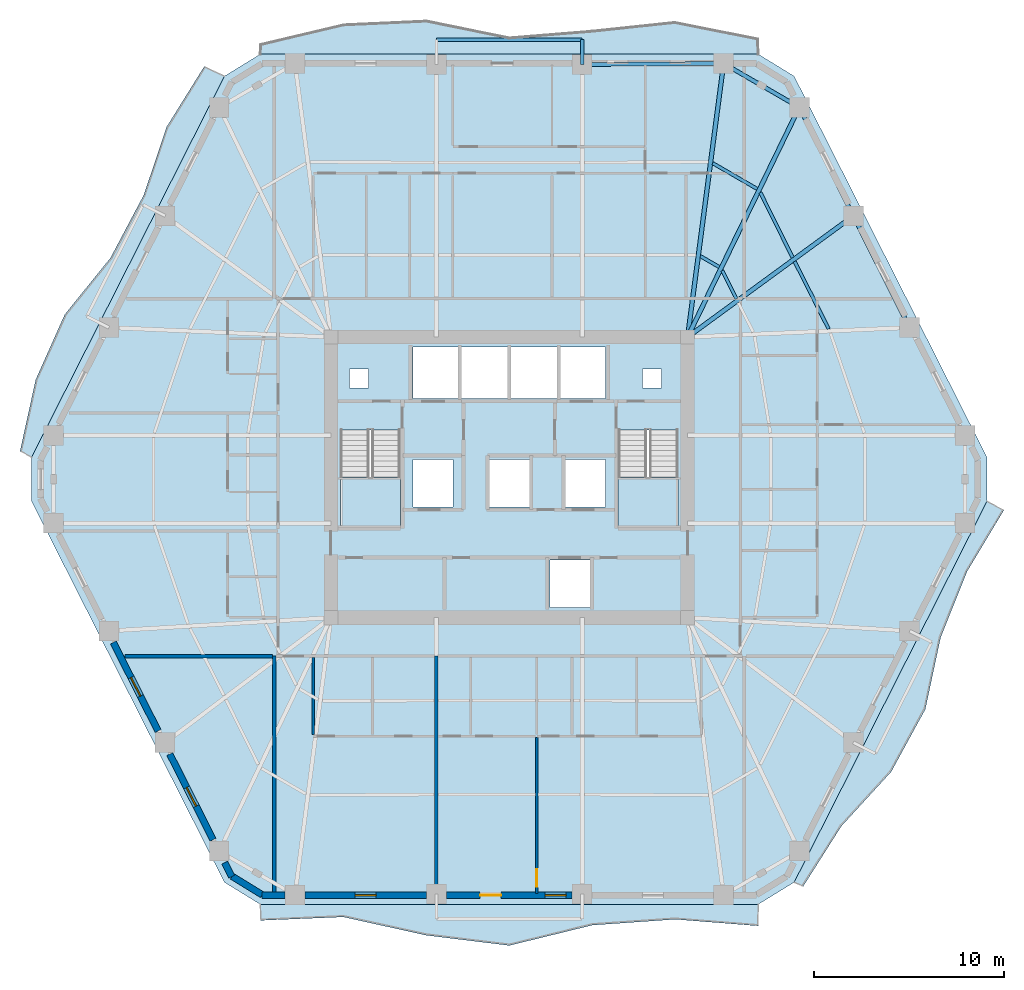
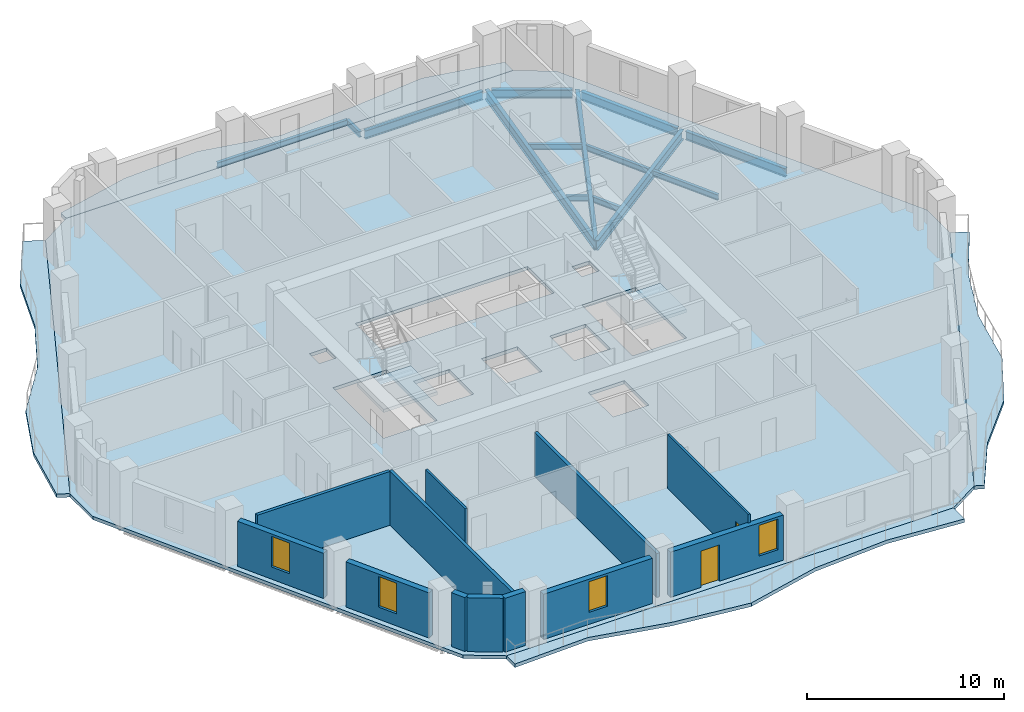
# One storey, part 3 of 10: 14 beams, 12 walls, 7 slabs, 4 windows, 2 doors, 6 openings, 2 elements without a shape of their own.
"""IFC4 building model written with IfcOpenShell, lengths in metres."""

import ifcopenshell
import ifcopenshell.guid

model = None  # the IFC model being written
_history = None  # IfcOwnerHistory: only IFC2X3 demands one
_inside = {}  # id of a spatial element -> (the spatial element, [elements in it])
_under = {}  # id of a project, library or spatial element -> (it, [spatial elements below it])
_declared = {}  # id of a project -> (the project, [libraries it declares])
_typed = {}  # id of a type object -> (the type object, [elements of that type])
_made_of = {}  # id of a material, layer set ... -> (it, [elements and type objects made of it])


def new_model(schema):
    """Start an empty IFC model of exactly this schema.

    Asked for "IFC4X3", IfcOpenShell would pick the latest addendum, in which some entities
    have other attributes; the version numbers below select the first issue.
    IFC2X3 requires an IfcOwnerHistory on every rooted entity: one is made here for all.
    """
    global model, _history
    if schema == "IFC4X3":
        model = ifcopenshell.file(schema_version=(4, 3, 0, 0))
    else:
        model = ifcopenshell.file(schema=schema)
    _inside.clear()
    _under.clear()
    _declared.clear()
    _typed.clear()
    _made_of.clear()
    _history = None
    if model.schema == "IFC2X3":
        org = make("IfcOrganization", Name="unknown")
        user = make(
            "IfcPersonAndOrganization",
            ThePerson=make("IfcPerson", FamilyName="unknown"),
            TheOrganization=org,
        )
        app = make(
            "IfcApplication",
            ApplicationDeveloper=org,
            Version="unknown",
            ApplicationFullName="unknown",
            ApplicationIdentifier="unknown",
        )
        _history = make(
            "IfcOwnerHistory",
            OwningUser=user,
            OwningApplication=app,
            ChangeAction="ADDED",
            CreationDate=0,
        )
    return model


def make(cls, **values):
    """One entity of the class cls with the attributes given. An attribute that is None is left unset."""
    return model.create_entity(
        cls, **{name: value for name, value in values.items() if value is not None}
    )


def rooted(cls, **values):
    """An entity with a GlobalId (a new one), such as an element, a storey or a relation."""
    return make(cls, GlobalId=ifcopenshell.guid.new(), OwnerHistory=_history, **values)


def si_unit(unit_type, name, prefix=None):
    """IfcSIUnit, for example si_unit("LENGTHUNIT", "METRE", prefix="MILLI")."""
    return make("IfcSIUnit", UnitType=unit_type, Prefix=prefix, Name=name)


def assignment(units):
    """IfcUnitAssignment: the units of a project."""
    return None if units is None else make("IfcUnitAssignment", Units=units)


def point(xyz):
    """IfcCartesianPoint."""
    return None if xyz is None else make("IfcCartesianPoint", Coordinates=xyz)


def direction(xyz):
    """IfcDirection."""
    return None if xyz is None else make("IfcDirection", DirectionRatios=xyz)


def frame(location, z_axis=None, x_axis=None):
    """IfcAxis2Placement3D, a coordinate frame: its origin and axes. An axis left out is left unset."""
    return make(
        "IfcAxis2Placement3D",
        Location=point(location),
        Axis=direction(z_axis),
        RefDirection=direction(x_axis),
    )


def frame_2d(location, x_axis=None):
    """IfcAxis2Placement2D, a coordinate frame in the plane: its origin and x axis."""
    return make(
        "IfcAxis2Placement2D", Location=point(location), RefDirection=direction(x_axis)
    )


def origin():
    """The frame at (0, 0, 0) with its axes left unset."""
    return frame((0.0, 0.0, 0.0))


def origin_2d():
    """The frame at (0, 0) in the plane with its x axis left unset."""
    return frame_2d((0.0, 0.0))


def place(relative_to, where):
    """IfcLocalPlacement: puts the frame where relative to a parent placement (None: the world)."""
    return make(
        "IfcLocalPlacement", PlacementRelTo=relative_to, RelativePlacement=where
    )


def context(
    kind, dimensions, precision=None, world=None, true_north=None, identifier=None
):
    """IfcGeometricRepresentationContext, for example the 3D "Model" context."""
    return make(
        "IfcGeometricRepresentationContext",
        ContextIdentifier=identifier,
        ContextType=kind,
        CoordinateSpaceDimension=dimensions,
        Precision=precision,
        WorldCoordinateSystem=world,
        TrueNorth=true_north,
    )


def subcontext(parent, identifier, kind, view, scale=None):
    """IfcGeometricRepresentationSubContext, for example "Body" below "Model"."""
    return make(
        "IfcGeometricRepresentationSubContext",
        ContextIdentifier=identifier,
        ContextType=kind,
        ParentContext=parent,
        TargetScale=scale,
        TargetView=view,
    )


def project(units=None, contexts=None):
    """IfcProject with its units and contexts."""
    return rooted(
        "IfcProject",
        Name="project",
        RepresentationContexts=contexts,
        UnitsInContext=assignment(units),
    )


def spatial(cls, under=None, at=None, **own):
    """A site, building, storey or space (cls), placed at a placement, below another one or the project."""
    s = rooted(cls, ObjectPlacement=at, **own)
    if under is not None:
        _under.setdefault(under.id(), (under, []))[1].append(s)
    return s


def polyline(points):
    """IfcPolyline through the points."""
    return make("IfcPolyline", Points=[point(p) for p in points])


def profile(cls, at=None, kind="AREA", **sizes):
    """A parametric profile (cls). Its sizes go by their IFC names, for example OverallWidth=200.0."""
    return make(cls, ProfileType=kind, Position=at, **sizes)


def rectangle(**sizes):
    """IfcRectangleProfileDef."""
    return profile("IfcRectangleProfileDef", **sizes)


def i_section(**sizes):
    """IfcIShapeProfileDef."""
    return profile("IfcIShapeProfileDef", **sizes)


def outline(outer, holes=None, kind="AREA"):
    """IfcArbitraryClosedProfileDef: a profile drawn as a closed curve; with holes, ...WithVoids."""
    if holes is None:
        return make("IfcArbitraryClosedProfileDef", ProfileType=kind, OuterCurve=outer)
    return make(
        "IfcArbitraryProfileDefWithVoids",
        ProfileType=kind,
        OuterCurve=outer,
        InnerCurves=holes,
    )


def extrude(swept, where, along, depth):
    """IfcExtrudedAreaSolid: the profile swept, set in the frame where, extruded along a direction by depth."""
    return make(
        "IfcExtrudedAreaSolid",
        SweptArea=swept,
        Position=where,
        ExtrudedDirection=direction(along),
        Depth=depth,
    )


def shape(context_of_items, identifier, shape_type, items):
    """IfcShapeRepresentation: the items that make up one representation, for example the "Body"."""
    return make(
        "IfcShapeRepresentation",
        ContextOfItems=context_of_items,
        RepresentationIdentifier=identifier,
        RepresentationType=shape_type,
        Items=items,
    )


def material(Name=None, Category=None):
    """IfcMaterial."""
    return make("IfcMaterial", Name=Name, Category=Category)


def layer(
    of_material, thickness, ventilated=None, Name=None, Category=None, Priority=None
):
    """IfcMaterialLayer: one layer of a wall or slab, of a material (None: an air gap)."""
    return make(
        "IfcMaterialLayer",
        Material=of_material,
        LayerThickness=thickness,
        IsVentilated=ventilated,
        Name=Name,
        Category=Category,
        Priority=Priority,
    )


def layer_set(layers, Name=None):
    """IfcMaterialLayerSet."""
    return make("IfcMaterialLayerSet", MaterialLayers=layers, LayerSetName=Name)


def material_profile(
    of_material, cross_section, Name=None, Category=None, Priority=None
):
    """IfcMaterialProfile: a cross section and its material."""
    return make(
        "IfcMaterialProfile",
        Name=Name,
        Material=of_material,
        Profile=cross_section,
        Priority=Priority,
        Category=Category,
    )


def profile_set(profiles, Name=None, composite=None):
    """IfcMaterialProfileSet."""
    return make(
        "IfcMaterialProfileSet",
        Name=Name,
        MaterialProfiles=profiles,
        CompositeProfile=composite,
    )


def made_of(thing, what):
    """Note that an element or type object is made of a material, layer set ...; save() writes the relation."""
    if what is not None:
        _made_of.setdefault(what.id(), (what, []))[1].append(thing)
    return thing


def type_object(cls, material=None, **own):
    """A type object (cls), such as IfcWallType, which elements share."""
    return made_of(rooted(cls, **own), material)


def element(
    cls,
    number,
    at=None,
    inside=None,
    cuts=None,
    type_object=None,
    material=None,
    context=None,
    identifier="Body",
    shape_type=None,
    held_by="IfcProductDefinitionShape",
    body=None,
    shapes=None,
    **own,
):
    """One element of the class cls, such as IfcWall. Its Tag is "e" and its number.

    at: its placement. inside: the storey or other place that contains it. cuts: it is an
    opening in that element (IfcRelVoidsElement). A single representation is given by context,
    identifier, shape_type and body (its items); several are given by shapes. held_by: the class
    of the entity that holds the representations. save() writes the other relations.
    """
    e = rooted(cls, Tag="e%d" % number, ObjectPlacement=at, **own)
    if body is not None:
        shapes = [shape(context, identifier, shape_type, body)]
    if shapes is not None:
        e.Representation = make(held_by, Representations=shapes)
    if inside is not None:
        _inside.setdefault(inside.id(), (inside, []))[1].append(e)
    if cuts is not None:
        rooted(
            "IfcRelVoidsElement", RelatingBuildingElement=cuts, RelatedOpeningElement=e
        )
    if type_object is not None:
        _typed.setdefault(type_object.id(), (type_object, []))[1].append(e)
    return made_of(e, material)


def fill(opening, filler):
    """IfcRelFillsElement: the door or window that sits in an opening."""
    return rooted(
        "IfcRelFillsElement",
        RelatingOpeningElement=opening,
        RelatedBuildingElement=filler,
    )


def aggregate(whole, parts):
    """IfcRelAggregates: a whole, such as a stair, and the parts it consists of."""
    return rooted("IfcRelAggregates", RelatingObject=whole, RelatedObjects=parts)


def save(model, path):
    """Write the relations noted so far, then the file.

    IfcRelAggregates (storeys below a building ...), IfcRelContainedInSpatialStructure (elements
    in a storey), IfcRelDefinesByType, IfcRelAssociatesMaterial and IfcRelDeclares: one each for
    every whole, place, type object, material and project.
    """
    for whole, parts in _under.values():
        aggregate(whole, parts)
    for where, things in _inside.values():
        rooted(
            "IfcRelContainedInSpatialStructure",
            RelatedElements=things,
            RelatingStructure=where,
        )
    for kind, things in _typed.values():
        rooted("IfcRelDefinesByType", RelatedObjects=things, RelatingType=kind)
    for what, things in _made_of.values():
        rooted("IfcRelAssociatesMaterial", RelatedObjects=things, RelatingMaterial=what)
    for by, libraries in _declared.values():
        rooted("IfcRelDeclares", RelatingContext=by, RelatedDefinitions=libraries)
    model.write(path)


model = new_model("IFC4")

# Units and contexts
model_context = context("Model", 3, precision=1e-05, world=origin(), true_north=direction((0.0, 1.0)))
body_context = subcontext(model_context, "Body", "Model", "MODEL_VIEW")
ifc_project = project(units=[si_unit("LENGTHUNIT", "METRE"), si_unit("AREAUNIT", "SQUARE_METRE"), si_unit("VOLUMEUNIT", "CUBIC_METRE"), si_unit("PLANEANGLEUNIT", "RADIAN"), si_unit("MASSUNIT", "GRAM", prefix="KILO")], contexts=[model_context])

# Site, building, storey
site_placement = place(None, origin())
site = spatial("IfcSite", under=ifc_project, at=site_placement, CompositionType="ELEMENT")
building_placement = place(site_placement, origin())
building = spatial("IfcBuilding", under=site, at=building_placement, Name="Cinnabar Lancet Tower", CompositionType="ELEMENT")
storey_placement = place(building_placement, frame((0.0, 0.0, 116.14990234375)))
storey = spatial("IfcBuildingStorey", under=building, at=storey_placement, Name="L30", CompositionType="ELEMENT", Elevation=116.14990234375)

# Beams
ifc_material_1 = material(Name="Structural steel S355", Category="steel")
ifc_material_profile_1 = material_profile(ifc_material_1, i_section(OverallWidth=0.17138671875, OverallDepth=0.35498046875, WebThickness=0.00732421875, FlangeThickness=0.011474609375, FilletRadius=0.01025390625, at=origin_2d()), Name="UKB 356x171x51")
ifc_profile_set_1 = profile_set([ifc_material_profile_1], Name="Structural steel S355")
beam_type_1 = type_object("IfcBeamType", Name="STR-BM-JST-356", PredefinedType="JOIST", material=ifc_profile_set_1)
beam_1_placement = place(storey_placement, frame((49.19189453125, 33.70703125, -0.386962890625), z_axis=(-0.450606998706, 0.892722427587, 0.0), x_axis=(-0.892722427587, -0.450606998706, 0.0)))
element("IfcBeam", 1, at=beam_1_placement, inside=storey, type_object=beam_type_1, Name="L30 Secondary Floor Joist 27", PredefinedType="JOIST", context=body_context, shape_type="SweptSolid", body=[
    extrude(i_section(OverallWidth=0.17138671875, OverallDepth=0.35498046875, WebThickness=0.00732421875, FlangeThickness=0.011474609375, FilletRadius=0.01025390625, at=origin_2d()), origin(), (0.0, 0.0, 1.0), 3.967529296875),
])
beam_2_placement = place(storey_placement, frame((47.300048828125, 37.455078125, -0.386962890625), z_axis=(-0.445116798807, 0.895472520751, 0.0), x_axis=(-0.895472520751, -0.445116798807, 0.0)))
element("IfcBeam", 2, at=beam_2_placement, inside=storey, type_object=beam_type_1, Name="L30 Secondary Floor Joist 29", PredefinedType="JOIST", context=body_context, shape_type="SweptSolid", body=[
    extrude(i_section(OverallWidth=0.17138671875, OverallDepth=0.35498046875, WebThickness=0.00732421875, FlangeThickness=0.011474609375, FilletRadius=0.01025390625, at=origin_2d()), origin(), (0.0, 0.0, 1.0), 3.8212890625),
])
beam_3_placement = place(storey_placement, frame((44.337890625, 35.2900390625, -0.386962890625), z_axis=(-0.445677136949, 0.895193772097, 0.0), x_axis=(-0.895193772097, -0.445677136949, 0.0)))
element("IfcBeam", 3, at=beam_3_placement, inside=storey, type_object=beam_type_1, Name="L30 Secondary Floor Joist 30", PredefinedType="JOIST", context=body_context, shape_type="SweptSolid", body=[
    extrude(i_section(OverallWidth=0.17138671875, OverallDepth=0.35498046875, WebThickness=0.00732421875, FlangeThickness=0.011474609375, FilletRadius=0.01025390625, at=origin_2d()), origin(), (0.0, 0.0, 1.0), 1.6533203125),
])
beam_4_placement = place(storey_placement, frame((45.43505859375, 41.06298828125, -0.386962890625), z_axis=(-0.865172906898, 0.501473669469, 0.0), x_axis=(-0.501473669469, -0.865172906898, 0.0)))
element("IfcBeam", 4, at=beam_4_placement, inside=storey, type_object=beam_type_1, Name="L30 Secondary Floor Joist 31", PredefinedType="JOIST", context=body_context, shape_type="SweptSolid", body=[
    extrude(i_section(OverallWidth=0.17138671875, OverallDepth=0.35498046875, WebThickness=0.00732421875, FlangeThickness=0.011474609375, FilletRadius=0.01025390625, at=origin_2d()), origin(), (0.0, 0.0, 1.0), 2.705810546875),
])
beam_5_placement = place(storey_placement, frame((43.43798828125, 36.9560546875, -0.386962890625), z_axis=(-0.865055308165, 0.501676503154, 0.0), x_axis=(-0.501676503154, -0.865055308165, 0.0)))
element("IfcBeam", 5, at=beam_5_placement, inside=storey, type_object=beam_type_1, Name="L30 Secondary Floor Joist 32", PredefinedType="JOIST", context=body_context, shape_type="SweptSolid", body=[
    extrude(i_section(OverallWidth=0.17138671875, OverallDepth=0.35498046875, WebThickness=0.00732421875, FlangeThickness=0.011474609375, FilletRadius=0.01025390625, at=origin_2d()), origin(), (0.0, 0.0, 1.0), 1.14208984375),
])
ifc_material_2 = material(Name="Structural steel S355", Category="steel")
ifc_material_profile_2 = material_profile(ifc_material_2, i_section(OverallWidth=0.209228515625, OverallDepth=0.533203125, WebThickness=0.010009765625, FlangeThickness=0.015625, FilletRadius=0.0126953125, at=origin_2d()), Name="UKB 533x210x92")
ifc_profile_set_2 = profile_set([ifc_material_profile_2], Name="Structural steel S355")
beam_type_2 = type_object("IfcBeamType", Name="STR-BM-SPN-533", PredefinedType="SPANDREL", material=ifc_profile_set_2)
beam_6_placement = place(storey_placement, frame((53.339111328125, 33.9990234375, -0.476806640625), z_axis=(-0.450570325924, 0.892740937449, 0.0), x_axis=(-0.892740937449, -0.450570325924, 0.0)))
element("IfcBeam", 6, at=beam_6_placement, inside=storey, type_object=beam_type_2, Name="L30 Perimeter Spandrel 10", PredefinedType="SPANDREL", context=body_context, shape_type="SweptSolid", body=[
    extrude(i_section(OverallWidth=0.209228515625, OverallDepth=0.533203125, WebThickness=0.010009765625, FlangeThickness=0.015625, FilletRadius=0.0126953125, at=origin_2d()), origin(), (0.0, 0.0, 1.0), 6.07470703125),
])
beam_7_placement = place(storey_placement, frame((50.3779296875, 39.868896484375, -0.476806640625), z_axis=(-0.445501068635, 0.89528140707, 0.0), x_axis=(-0.89528140707, -0.445501068635, 0.0)))
element("IfcBeam", 7, at=beam_7_placement, inside=storey, type_object=beam_type_2, Name="L30 Perimeter Spandrel 11", PredefinedType="SPANDREL", context=body_context, shape_type="SweptSolid", body=[
    extrude(i_section(OverallWidth=0.209228515625, OverallDepth=0.533203125, WebThickness=0.010009765625, FlangeThickness=0.015625, FilletRadius=0.0126953125, at=origin_2d()), origin(), (0.0, 0.0, 1.0), 5.87646484375),
])
beam_8_placement = place(storey_placement, frame((47.43310546875, 45.47900390625, -0.476806640625), z_axis=(-0.865138129765, 0.5015336643, 0.0), x_axis=(-0.5015336643, -0.865138129765, 0.0)))
element("IfcBeam", 8, at=beam_8_placement, inside=storey, type_object=beam_type_2, Name="L30 Perimeter Spandrel 12", PredefinedType="SPANDREL", context=body_context, shape_type="SweptSolid", body=[
    extrude(i_section(OverallWidth=0.209228515625, OverallDepth=0.533203125, WebThickness=0.010009765625, FlangeThickness=0.015625, FilletRadius=0.0126953125, at=origin_2d()), origin(), (0.0, 0.0, 1.0), 4.10107421875),
])
beam_9_placement = place(storey_placement, frame((43.4189453125, 47.658935546875, -0.476806640625), z_axis=(-0.999975228682, -0.007038609338, 0.0), x_axis=(0.007038609338, -0.999975228682, 0.0)))
element("IfcBeam", 9, at=beam_9_placement, inside=storey, type_object=beam_type_2, Name="L30 Perimeter Spandrel 13", PredefinedType="SPANDREL", context=body_context, shape_type="SweptSolid", body=[
    extrude(i_section(OverallWidth=0.209228515625, OverallDepth=0.533203125, WebThickness=0.010009765625, FlangeThickness=0.015625, FilletRadius=0.0126953125, at=origin_2d()), origin(), (0.0, 0.0, 1.0), 6.937255859375),
])
ifc_material_3 = material(Name="Structural steel S355", Category="steel")
ifc_material_profile_3 = material_profile(ifc_material_3, i_section(OverallWidth=0.228271484375, OverallDepth=0.607666015625, WebThickness=0.010986328125, FlangeThickness=0.017333984375, FilletRadius=0.0126953125, at=origin_2d()), Name="UKB 610x229x113")
ifc_profile_set_3 = profile_set([ifc_material_profile_3], Name="Structural steel S355")
beam_type_3 = type_object("IfcBeamType", Name="STR-BM-UKB610-113", PredefinedType="BEAM", material=ifc_profile_set_3)
beam_10_placement = place(storey_placement, frame((50.489013671875, 39.64501953125, -0.513916015625), z_axis=(-0.807297870919, -0.590144175273, 0.0), x_axis=(0.590144175273, -0.807297870919, 0.0)))
element("IfcBeam", 10, at=beam_10_placement, inside=storey, type_object=beam_type_3, Name="L30 Corner Collector Girder 3", PredefinedType="BEAM", context=body_context, shape_type="SweptSolid", body=[
    extrude(i_section(OverallWidth=0.228271484375, OverallDepth=0.607666015625, WebThickness=0.010986328125, FlangeThickness=0.017333984375, FilletRadius=0.0126953125, at=origin_2d()), origin(), (0.0, 0.0, 1.0), 10.794189453125),
])
beam_11_placement = place(storey_placement, frame((47.64892578125, 45.35400390625, -0.513916015625), z_axis=(-0.437327473227, -0.899302330232, 0.0), x_axis=(0.899302330232, -0.437327473227, 0.0)))
element("IfcBeam", 11, at=beam_11_placement, inside=storey, type_object=beam_type_3, Name="L30 Primary Floor Girder 12", PredefinedType="BEAM", context=body_context, shape_type="SweptSolid", body=[
    extrude(i_section(OverallWidth=0.228271484375, OverallDepth=0.607666015625, WebThickness=0.010986328125, FlangeThickness=0.017333984375, FilletRadius=0.0126953125, at=origin_2d()), origin(), (0.0, 0.0, 1.0), 13.431640625),
])
beam_12_placement = place(storey_placement, frame((43.6689453125, 47.660888671875, -0.513916015625), z_axis=(-0.130532420418, -0.991444041396, 0.0), x_axis=(0.991444041396, -0.130532420418, 0.0)))
element("IfcBeam", 12, at=beam_12_placement, inside=storey, type_object=beam_type_3, Name="L30 Primary Floor Girder 13", PredefinedType="BEAM", context=body_context, shape_type="SweptSolid", body=[
    extrude(i_section(OverallWidth=0.228271484375, OverallDepth=0.607666015625, WebThickness=0.010986328125, FlangeThickness=0.017333984375, FilletRadius=0.0126953125, at=origin_2d()), origin(), (0.0, 0.0, 1.0), 14.51025390625),
])
ifc_material_4 = material(Name="Structural steel S355", Category="steel")
ifc_material_profile_4 = material_profile(ifc_material_4, i_section(OverallWidth=0.17138671875, OverallDepth=0.35498046875, WebThickness=0.00732421875, FlangeThickness=0.011474609375, FilletRadius=0.01025390625, at=origin_2d()), Name="UKB 356x171x51")
ifc_profile_set_4 = profile_set([ifc_material_profile_4], Name="Structural steel S355")
beam_type_4 = type_object("IfcBeamType", Name="STR-BM-WAV-OUT", PredefinedType="BEAM", material=ifc_profile_set_4)
beam_13_placement = place(storey_placement, frame((36.23193359375, 47.60791015625, -0.39697265625), z_axis=(0.0, 1.0, 0.0), x_axis=(-1.0, 0.0, 0.0)))
element("IfcBeam", 13, at=beam_13_placement, inside=storey, type_object=beam_type_4, Name="L30 Face 4 Balcony Outlooker A", PredefinedType="BEAM", context=body_context, shape_type="SweptSolid", body=[
    extrude(i_section(OverallWidth=0.17138671875, OverallDepth=0.35498046875, WebThickness=0.00732421875, FlangeThickness=0.011474609375, FilletRadius=0.01025390625, at=origin_2d()), origin(), (0.0, 0.0, 1.0), 1.300048828125),
])
ifc_material_5 = material(Name="Structural steel S355", Category="steel")
ifc_material_profile_5 = material_profile(ifc_material_5, i_section(OverallWidth=0.17138671875, OverallDepth=0.35498046875, WebThickness=0.00732421875, FlangeThickness=0.011474609375, FilletRadius=0.01025390625, at=origin_2d()), Name="UKB 356x171x51")
ifc_profile_set_5 = profile_set([ifc_material_profile_5], Name="Structural steel S355")
beam_type_5 = type_object("IfcBeamType", Name="STR-BM-WAV-TRIM", PredefinedType="SPANDREL", material=ifc_profile_set_5)
beam_14_placement = place(storey_placement, frame((36.23193359375, 48.907958984375, -0.39697265625), z_axis=(-1.0, 0.0, 0.0), x_axis=(0.0, -1.0, 0.0)))
element("IfcBeam", 14, at=beam_14_placement, inside=storey, type_object=beam_type_5, Name="L30 Face 4 Balcony Edge Trimmer", PredefinedType="SPANDREL", context=body_context, shape_type="SweptSolid", body=[
    extrude(i_section(OverallWidth=0.17138671875, OverallDepth=0.35498046875, WebThickness=0.00732421875, FlangeThickness=0.011474609375, FilletRadius=0.01025390625, at=origin_2d()), origin(), (0.0, 0.0, 1.0), 7.663818359375),
])

# Stair, slab
ifc_material_6 = material(Name="Concrete C40/50", Category="concrete")
stair_type = type_object("IfcStairType", Name="ST-CORE", PredefinedType="HALF_TURN_STAIR", material=ifc_material_6)
stair_1_placement = place(storey_placement, origin())
stair_1 = element("IfcStair", 15, at=stair_1_placement, inside=storey, type_object=stair_type, Name="L30 ST-1", PredefinedType="HALF_TURN_STAIR")
ifc_material_7 = material(Name="Concrete C40/50", Category="concrete")
ifc_layer_1 = layer(ifc_material_7, 0.199951171875)
ifc_layer_set_1 = layer_set([ifc_layer_1], Name="Concrete C40/50")
slab_type_1 = type_object("IfcSlabType", Name="LANDING-CORE", PredefinedType="LANDING", material=ifc_layer_set_1)
slab_1_placement = place(storey_placement, frame((0.0, 0.0, 1.5751953125)))
slab_1 = element("IfcSlab", 16, at=slab_1_placement, type_object=slab_type_1, Name="ST-1 landing 1", PredefinedType="LANDING", context=body_context, shape_type="SweptSolid", body=[
    extrude(outline(polyline([(23.52490234375, 25.925048828125), (23.52490234375, 23.25), (26.675048828125, 23.25), (26.675048828125, 25.925048828125), (23.52490234375, 25.925048828125)])), origin(), (0.0, 0.0, 1.0), 0.199951171875),
])
aggregate(stair_1, [slab_1])

stair_2_placement = place(storey_placement, origin())
stair_2 = element("IfcStair", 17, at=stair_2_placement, inside=storey, type_object=stair_type, Name="L30 ST-2", PredefinedType="HALF_TURN_STAIR")
slab_2_placement = place(storey_placement, frame((0.0, 0.0, 1.5751953125)))
slab_2 = element("IfcSlab", 18, at=slab_2_placement, type_object=slab_type_1, Name="ST-2 landing 1", PredefinedType="LANDING", context=body_context, shape_type="SweptSolid", body=[
    extrude(outline(polyline([(38.125, 25.925048828125), (38.125, 23.25), (41.27490234375, 23.25), (41.27490234375, 25.925048828125), (38.125, 25.925048828125)])), origin(), (0.0, 0.0, 1.0), 0.199951171875),
])
aggregate(stair_2, [slab_2])

# Slabs
ifc_material_8 = material(Name="Concrete C40/50", Category="concrete")
ifc_layer_2 = layer(ifc_material_8, 0.2099609375)
ifc_layer_set_2 = layer_set([ifc_layer_2], Name="Concrete C40/50")
slab_type_2 = type_object("IfcSlabType", Name="STR-SLB-FLR-210", PredefinedType="FLOOR", material=ifc_layer_set_2)
slab_3_placement = place(storey_placement, frame((0.0, 0.0, -0.2099609375)))
element("IfcSlab", 19, at=slab_3_placement, inside=storey, type_object=slab_type_2, Name="L30 Structural Floor Slab", PredefinedType="FLOOR", context=body_context, shape_type="SweptSolid", body=[
    extrude(outline(polyline([(17.4208984375, 4.610107421875), (19.30810546875, 3.449951171875), (45.491943359375, 3.449951171875), (47.37890625, 4.610107421875), (57.512939453125, 24.639892578125), (57.512939453125, 26.9599609375), (47.37890625, 46.989990234375), (45.491943359375, 48.14990234375), (19.30810546875, 48.14990234375), (17.4208984375, 46.989990234375), (7.287109375, 26.9599609375), (7.287109375, 24.639892578125), (17.4208984375, 4.610107421875)]), holes=[polyline([(23.52490234375, 23.25), (26.675048828125, 23.25), (26.675048828125, 28.3994140625), (23.52490234375, 28.3994140625), (23.52490234375, 23.25)]), polyline([(38.125, 23.25), (41.27490234375, 23.25), (41.27490234375, 28.3994140625), (38.125, 28.3994140625), (38.125, 23.25)]), polyline([(27.35009765625, 30.050048828125), (37.449951171875, 30.050048828125), (37.449951171875, 32.75), (27.35009765625, 32.75), (27.35009765625, 30.050048828125)]), polyline([(34.550048828125, 19.050048828125), (36.64990234375, 19.050048828125), (36.64990234375, 21.550048828125), (34.550048828125, 21.550048828125), (34.550048828125, 19.050048828125)]), polyline([(27.35009765625, 24.35009765625), (29.449951171875, 24.35009765625), (29.449951171875, 26.85009765625), (27.35009765625, 26.85009765625), (27.35009765625, 24.35009765625)]), polyline([(35.35009765625, 24.35009765625), (37.449951171875, 24.35009765625), (37.449951171875, 26.85009765625), (35.35009765625, 26.85009765625), (35.35009765625, 24.35009765625)]), polyline([(31.35009765625, 24.35009765625), (33.449951171875, 24.35009765625), (33.449951171875, 26.85009765625), (31.35009765625, 26.85009765625), (31.35009765625, 24.35009765625)]), polyline([(24.0, 30.60009765625), (25.0, 30.60009765625), (25.0, 31.60009765625), (24.0, 31.60009765625), (24.0, 30.60009765625)]), polyline([(39.39990234375, 30.60009765625), (40.39990234375, 30.60009765625), (40.39990234375, 31.60009765625), (39.39990234375, 31.60009765625), (39.39990234375, 30.60009765625)])]), origin(), (0.0, 0.0, 1.0), 0.2099609375),
])
ifc_material_9 = material(Name="Concrete C45/55", Category="concrete")
ifc_layer_3 = layer(ifc_material_9, 0.219970703125)
ifc_layer_set_3 = layer_set([ifc_layer_3], Name="Concrete C45/55")
slab_type_3 = type_object("IfcSlabType", Name="STR-SLB-WAV-220", PredefinedType="FLOOR", material=ifc_layer_set_3)
slab_4_placement = place(storey_placement, frame((0.0, 0.0, -0.219970703125)))
element("IfcSlab", 20, at=slab_4_placement, inside=storey, type_object=slab_type_3, Name="L30 Face 1 Undulating Wave Balcony Slab", PredefinedType="FLOOR", context=body_context, shape_type="SweptSolid", body=[
    extrude(outline(polyline([(19.30810546875, 3.449951171875), (19.30810546875, 2.60400390625), (23.672119140625, 2.785888671875), (28.035888671875, 1.821044921875), (32.39990234375, 1.284912109375), (36.763916015625, 2.35400390625), (41.1279296875, 2.660888671875), (45.491943359375, 2.31689453125), (45.491943359375, 3.449951171875), (19.30810546875, 3.449951171875)])), origin(), (0.0, 0.0, 1.0), 0.219970703125),
])
slab_5_placement = place(storey_placement, frame((0.0, 0.0, -0.219970703125)))
element("IfcSlab", 21, at=slab_5_placement, inside=storey, type_object=slab_type_3, Name="L30 Face 2 Undulating Wave Balcony Slab", PredefinedType="FLOOR", context=body_context, shape_type="SweptSolid", body=[
    extrude(outline(polyline([(47.37890625, 4.610107421875), (47.841064453125, 4.3759765625), (49.85302734375, 7.551025390625), (52.47900390625, 10.416015625), (54.27197265625, 13.700927734375), (55.080078125, 17.485107421875), (56.47900390625, 20.969970703125), (58.410888671875, 24.18505859375), (57.512939453125, 24.639892578125), (47.37890625, 4.610107421875)])), origin(), (0.0, 0.0, 1.0), 0.219970703125),
])
slab_6_placement = place(storey_placement, frame((0.0, 0.0, -0.219970703125)))
element("IfcSlab", 22, at=slab_6_placement, inside=storey, type_object=slab_type_3, Name="L30 Face 4 Undulating Wave Balcony Slab", PredefinedType="FLOOR", context=body_context, shape_type="SweptSolid", body=[
    extrude(outline(polyline([(45.491943359375, 48.14990234375), (45.491943359375, 48.99609375), (41.1279296875, 49.87109375), (36.763916015625, 49.4130859375), (32.39990234375, 49.06201171875), (28.035888671875, 49.946044921875), (23.672119140625, 49.74609375), (19.30810546875, 48.7099609375), (19.30810546875, 48.14990234375), (45.491943359375, 48.14990234375)])), origin(), (0.0, 0.0, 1.0), 0.219970703125),
])
slab_7_placement = place(storey_placement, frame((0.0, 0.0, -0.219970703125)))
element("IfcSlab", 23, at=slab_7_placement, inside=storey, type_object=slab_type_3, Name="L30 Face 5 Undulating Wave Balcony Slab", PredefinedType="FLOOR", context=body_context, shape_type="SweptSolid", body=[
    extrude(outline(polyline([(17.4208984375, 46.989990234375), (16.373046875, 47.52001953125), (14.388916015625, 44.3310546875), (13.18408203125, 40.748046875), (11.43408203125, 37.44091796875), (9.029052734375, 34.464111328125), (7.5029296875, 31.04296875), (6.675048828125, 27.27001953125), (7.287109375, 26.9599609375), (17.4208984375, 46.989990234375)])), origin(), (0.0, 0.0, 1.0), 0.219970703125),
])

# Walls
ifc_material_10 = material(Name="Fire-rated twin-frame acoustic drywall", Category="gypsum")
ifc_layer_4 = layer(ifc_material_10, 0.179931640625)
ifc_layer_set_4 = layer_set([ifc_layer_4], Name="Fire-rated twin-frame acoustic drywall")
wall_type_1 = type_object("IfcWallType", Name="ARC-WL-PARTY-180", PredefinedType="PARTITIONING", material=ifc_layer_set_4)
wall_1_placement = place(storey_placement, frame((20.050048828125, 4.10498046875, 0.0), z_axis=(0.0, 0.0, 1.0), x_axis=(0.0, 1.0, 0.0)))
element("IfcWall", 24, at=wall_1_placement, inside=storey, type_object=wall_type_1, Name="PW-L30-SPTY-200", PredefinedType="PARTITIONING", context=body_context, shape_type="SweptSolid", body=[
    extrude(rectangle(XDim=12.39501953125, YDim=0.179931640625, at=frame_2d((6.197509765625, 0.0))), origin(), (0.0, 0.0, 1.0), 3.340087890625),
])
wall_2_placement = place(storey_placement, frame((28.568115234375, 4.10498046875, 0.0), z_axis=(0.0, 0.0, 1.0), x_axis=(0.0, 1.0, 0.0)))
element("IfcWall", 25, at=wall_2_placement, inside=storey, type_object=wall_type_1, Name="PW-L30-SPTY-286", PredefinedType="PARTITIONING", context=body_context, shape_type="SweptSolid", body=[
    extrude(rectangle(XDim=12.39501953125, YDim=0.179931640625, at=frame_2d((6.197509765625, 0.0))), origin(), (0.0, 0.0, 1.0), 2.72216796875),
])
wall_3_placement = place(storey_placement, frame((12.18505859375, 16.5, 0.0), z_axis=(0.0, 0.0, 1.0), x_axis=(1.0, 0.0, 0.0)))
element("IfcWall", 26, at=wall_3_placement, inside=storey, type_object=wall_type_1, Name="PW-L30-WSB", PredefinedType="PARTITIONING", context=body_context, shape_type="SweptSolid", body=[
    extrude(rectangle(XDim=7.77001953125, YDim=0.179931640625, at=frame_2d((3.885009765625, 0.0))), origin(), (0.0, 0.0, 1.0), 3.340087890625),
])
ifc_material_11 = material(Name="Gypsum plasterboard stud partition", Category="gypsum")
ifc_layer_5 = layer(ifc_material_11, 0.125)
ifc_layer_set_5 = layer_set([ifc_layer_5], Name="Gypsum plasterboard stud partition")
wall_type_2 = type_object("IfcWallType", Name="ARC-WL-UNIT-125", PredefinedType="PARTITIONING", material=ifc_layer_set_5)
wall_4_placement = place(storey_placement, frame((22.10009765625, 12.39111328125, 0.0), z_axis=(0.0, 0.0, 1.0), x_axis=(0.0, 1.0, 0.0)))
element("IfcWall", 27, at=wall_4_placement, inside=storey, type_object=wall_type_2, Name="UW-L30-S01-FOYE", PredefinedType="PARTITIONING", context=body_context, shape_type="SweptSolid", body=[
    extrude(rectangle(XDim=4.02392578125, YDim=0.125, at=frame_2d((2.011962890625, 0.0))), origin(), (0.0, 0.0, 1.0), 2.72216796875),
])

# Wall, opening, door
wall_5_placement = place(storey_placement, frame((33.85009765625, 4.014892578125, 0.0), z_axis=(0.0, 0.0, 1.0), x_axis=(0.0, 1.0, 0.0)))
wall_5 = element("IfcWall", 28, at=wall_5_placement, inside=storey, type_object=wall_type_2, Name="UW-L30-S02-MBW", PredefinedType="PARTITIONING", context=body_context, shape_type="SweptSolid", body=[
    extrude(rectangle(XDim=8.196044921875, YDim=0.125, at=frame_2d((4.09814453125, 0.0))), origin(), (0.0, 0.0, 1.0), 3.340087890625),
])
opening_1_placement = place(wall_5_placement, frame((0.35009765625, 0.0, 0.0)))
opening_1 = element("IfcOpeningElement", 29, at=opening_1_placement, cuts=wall_5, Name="Opening RD-01", PredefinedType="OPENING", context=body_context, shape_type="SweptSolid", body=[
    extrude(rectangle(XDim=0.919921875, YDim=2.14990234375, at=frame_2d((0.4599609375, 1.074951171875))), frame((0.0, 0.072509765625, 0.0), z_axis=(0.0, -1.0, 0.0), x_axis=(1.0, 0.0, 0.0)), (0.0, 0.0, 1.0), 0.14501953125),
])
ifc_material_12 = material(Name="Engineered timber bedroom door", Category="wood")
door_type_1 = type_object("IfcDoorType", Name="ARC-DR-ROOM", OperationType="NOTDEFINED", PredefinedType="DOOR", material=ifc_material_12)
door_1_placement = place(opening_1_placement, origin())
door_1 = element("IfcDoor", 30, at=door_1_placement, inside=storey, type_object=door_type_1, Name="DR-L30-S02-MBD", OperationType="SINGLE_SWING_RIGHT", OverallHeight=2.14990234375, OverallWidth=0.919921875, PredefinedType="DOOR", context=body_context, shape_type="SweptSolid", body=[
    extrude(rectangle(XDim=0.919921875, YDim=2.14990234375, at=frame_2d((0.4599609375, 1.074951171875))), frame((0.0, 0.02490234375, 0.0), z_axis=(0.0, -1.0, 0.0), x_axis=(1.0, 0.0, 0.0)), (0.0, 0.0, 1.0), 0.050048828125),
])
fill(opening_1, door_1)

# Walls
ifc_material_13 = material(Name="Cinnabar red clay brick", Category="masonry")
ifc_layer_6 = layer(ifc_material_13, 0.340087890625)
ifc_layer_set_6 = layer_set([ifc_layer_6], Name="Cinnabar red clay brick")
wall_type_3 = type_object("IfcWallType", Name="ENV-WL-BRK-RED-340", PredefinedType="STANDARD", material=ifc_layer_set_6)
wall_6_placement = place(storey_placement, frame((17.8291015625, 4.923095703125, 0.0), z_axis=(0.0, 0.0, 1.0), x_axis=(0.851798915137, -0.523868884523, 0.0)))
element("IfcWall", 31, at=wall_6_placement, inside=storey, type_object=wall_type_3, Name="L30 Chamfered Corner Brick Pier 1.1", PredefinedType="STANDARD", context=body_context, shape_type="SweptSolid", body=[
    extrude(rectangle(XDim=1.847900390625, YDim=0.340087890625, at=frame_2d((0.923828125, 0.0))), origin(), (0.0, 0.0, 1.0), 3.340087890625),
])
wall_7_placement = place(storey_placement, frame((19.39794921875, 3.929931640625, 0.0), z_axis=(0.0, 0.0, 1.0), x_axis=(1.0, 0.0, 0.0)))
element("IfcWall", 32, at=wall_7_placement, inside=storey, type_object=wall_type_3, Name="L30 Face 1 Masonry Bay Wall 1", PredefinedType="STANDARD", context=body_context, shape_type="SweptSolid", body=[
    extrude(rectangle(XDim=1.2041015625, YDim=0.340087890625, at=frame_2d((0.60205078125, 0.0))), origin(), (0.0, 0.0, 1.0), 3.340087890625),
])

# Wall, opening, window
wall_8_placement = place(storey_placement, frame((21.659912109375, 3.929931640625, 0.0), z_axis=(0.0, 0.0, 1.0), x_axis=(1.0, 0.0, 0.0)))
wall_8 = element("IfcWall", 33, at=wall_8_placement, inside=storey, type_object=wall_type_3, Name="L30 Face 1 Masonry Bay Wall 2", PredefinedType="STANDARD", context=body_context, shape_type="SweptSolid", body=[
    extrude(rectangle(XDim=6.379150390625, YDim=0.340087890625, at=frame_2d((3.189453125, 0.0))), origin(), (0.0, 0.0, 1.0), 2.797119140625),
])
opening_2_placement = place(wall_8_placement, frame((2.639892578125, 0.0, 0.75)))
opening_2 = element("IfcOpeningElement", 34, at=opening_2_placement, cuts=wall_8, Name="Opening WN-04", PredefinedType="OPENING", context=body_context, shape_type="SweptSolid", body=[
    extrude(rectangle(XDim=1.10009765625, YDim=1.89697265625, at=frame_2d((0.550048828125, 0.948486328125))), frame((0.0, 0.179931640625, 0.0), z_axis=(0.0, -1.0, 0.0), x_axis=(1.0, 0.0, 0.0)), (0.0, 0.0, 1.0), 0.360107421875),
])
ifc_material_14 = material(Name="Thermally broken bronze-anodized aluminium tall lancet window", Category="aluminium")
window_type = type_object("IfcWindowType", Name="ENV-WN-LANCET-1100", PartitioningType="SINGLE_PANEL", PredefinedType="WINDOW", material=ifc_material_14)
window_1_placement = place(opening_2_placement, origin())
window_1 = element("IfcWindow", 35, at=window_1_placement, inside=storey, type_object=window_type, Name="L30 Face 1 Gothic Lancet Window 2", OverallHeight=1.89697265625, OverallWidth=1.10009765625, PartitioningType="SINGLE_PANEL", PredefinedType="WINDOW", context=body_context, shape_type="SweptSolid", body=[
    extrude(rectangle(XDim=1.10009765625, YDim=1.89697265625, at=frame_2d((0.550048828125, 0.948486328125))), frame((0.0, 0.030029296875, 0.0), z_axis=(0.0, -1.0, 0.0), x_axis=(1.0, 0.0, 0.0)), (0.0, 0.0, 1.0), 0.06005859375),
])
fill(opening_2, window_1)

# Wall, openings, door, window
wall_9_placement = place(storey_placement, frame((29.096923828125, 3.929931640625, 0.0), z_axis=(0.0, 0.0, 1.0), x_axis=(1.0, 0.0, 0.0)))
wall_9 = element("IfcWall", 36, at=wall_9_placement, inside=storey, type_object=wall_type_3, Name="L30 Face 1 Masonry Bay Wall 3", PredefinedType="STANDARD", context=body_context, shape_type="SweptSolid", body=[
    extrude(rectangle(XDim=6.60595703125, YDim=0.340087890625, at=frame_2d((3.302978515625, 0.0))), origin(), (0.0, 0.0, 1.0), 2.797119140625),
])
opening_3_placement = place(wall_9_placement, frame((1.77490234375, 0.0, 0.0)))
opening_3 = element("IfcOpeningElement", 37, at=opening_3_placement, cuts=wall_9, Name="Opening TD-01", PredefinedType="OPENING", context=body_context, shape_type="SweptSolid", body=[
    extrude(rectangle(XDim=1.10009765625, YDim=2.25, at=frame_2d((0.550048828125, 1.125))), frame((0.0, 0.179931640625, 0.0), z_axis=(0.0, -1.0, 0.0), x_axis=(1.0, 0.0, 0.0)), (0.0, 0.0, 1.0), 0.360107421875),
])
opening_4_placement = place(wall_9_placement, frame((5.18603515625, 0.0, 0.75)))
opening_4 = element("IfcOpeningElement", 38, at=opening_4_placement, cuts=wall_9, Name="Opening WN-04", PredefinedType="OPENING", context=body_context, shape_type="SweptSolid", body=[
    extrude(rectangle(XDim=1.10009765625, YDim=1.89697265625, at=frame_2d((0.550048828125, 0.948486328125))), frame((0.0, 0.179931640625, 0.0), z_axis=(0.0, -1.0, 0.0), x_axis=(1.0, 0.0, 0.0)), (0.0, 0.0, 1.0), 0.360107421875),
])
ifc_material_15 = material(Name="Thermally broken low-E glazed balcony terrace door", Category="wood")
door_type_2 = type_object("IfcDoorType", Name="ARC-DR-BALC", OperationType="NOTDEFINED", PredefinedType="DOOR", material=ifc_material_15)
door_2_placement = place(opening_3_placement, origin())
door_2 = element("IfcDoor", 39, at=door_2_placement, inside=storey, type_object=door_type_2, Name="L30 Face 1 Glazed Terrace Door", OperationType="SINGLE_SWING_RIGHT", OverallHeight=2.25, OverallWidth=1.10009765625, PredefinedType="DOOR", context=body_context, shape_type="SweptSolid", body=[
    extrude(rectangle(XDim=1.10009765625, YDim=2.25, at=frame_2d((0.550048828125, 1.125))), frame((0.0, 0.02490234375, 0.0), z_axis=(0.0, -1.0, 0.0), x_axis=(1.0, 0.0, 0.0)), (0.0, 0.0, 1.0), 0.050048828125),
])
fill(opening_3, door_2)
window_2_placement = place(opening_4_placement, origin())
window_2 = element("IfcWindow", 40, at=window_2_placement, inside=storey, type_object=window_type, Name="L30 Split-Bay Gothic Lancet Window 96", OverallHeight=1.89697265625, OverallWidth=1.10009765625, PartitioningType="SINGLE_PANEL", PredefinedType="WINDOW", context=body_context, shape_type="SweptSolid", body=[
    extrude(rectangle(XDim=1.10009765625, YDim=1.89697265625, at=frame_2d((0.550048828125, 0.948486328125))), frame((0.0, 0.030029296875, 0.0), z_axis=(0.0, -1.0, 0.0), x_axis=(1.0, 0.0, 0.0)), (0.0, 0.0, 1.0), 0.06005859375),
])
fill(opening_4, window_2)

# Wall, opening, window
wall_10_placement = place(storey_placement, frame((11.580078125, 17.218017578125, 0.0), z_axis=(0.0, 0.0, 1.0), x_axis=(0.451567731634, -0.892236842855, 0.0)))
wall_10 = element("IfcWall", 41, at=wall_10_placement, inside=storey, type_object=wall_type_3, Name="L30 Face 6 Masonry Bay Wall 3", PredefinedType="STANDARD", context=body_context, shape_type="SweptSolid", body=[
    extrude(rectangle(XDim=5.219482421875, YDim=0.340087890625, at=frame_2d((2.60986328125, 0.0))), origin(), (0.0, 0.0, 1.0), 2.797119140625),
])
opening_5_placement = place(wall_10_placement, frame((2.06005859375, 0.0, 0.75)))
opening_5 = element("IfcOpeningElement", 42, at=opening_5_placement, cuts=wall_10, Name="Opening WN-04", PredefinedType="OPENING", context=body_context, shape_type="SweptSolid", body=[
    extrude(rectangle(XDim=1.10009765625, YDim=1.89697265625, at=frame_2d((0.550048828125, 0.948486328125))), frame((0.0, 0.179931640625, 0.0), z_axis=(0.0, -1.0, 0.0), x_axis=(1.0, 0.0, 0.0)), (0.0, 0.0, 1.0), 0.360107421875),
])
window_3_placement = place(opening_5_placement, origin())
window_3 = element("IfcWindow", 43, at=window_3_placement, inside=storey, type_object=window_type, Name="L30 Face 6 Gothic Lancet Window 3", OverallHeight=1.89697265625, OverallWidth=1.10009765625, PartitioningType="SINGLE_PANEL", PredefinedType="WINDOW", context=body_context, shape_type="SweptSolid", body=[
    extrude(rectangle(XDim=1.10009765625, YDim=1.89697265625, at=frame_2d((0.550048828125, 0.948486328125))), frame((0.0, 0.030029296875, 0.0), z_axis=(0.0, -1.0, 0.0), x_axis=(1.0, 0.0, 0.0)), (0.0, 0.0, 1.0), 0.06005859375),
])
fill(opening_5, window_3)

wall_11_placement = place(storey_placement, frame((14.549072265625, 11.34912109375, 0.0), z_axis=(0.0, 0.0, 1.0), x_axis=(0.451548465867, -0.892246593142, 0.0)))
wall_11 = element("IfcWall", 44, at=wall_11_placement, inside=storey, type_object=wall_type_3, Name="L30 Face 6 Masonry Bay Wall 4", PredefinedType="STANDARD", context=body_context, shape_type="SweptSolid", body=[
    extrude(rectangle(XDim=5.040283203125, YDim=0.340087890625, at=frame_2d((2.52001953125, 0.0))), origin(), (0.0, 0.0, 1.0), 2.797119140625),
])
opening_6_placement = place(wall_11_placement, frame((1.969970703125, 0.0, 0.75)))
opening_6 = element("IfcOpeningElement", 45, at=opening_6_placement, cuts=wall_11, Name="Opening WN-04", PredefinedType="OPENING", context=body_context, shape_type="SweptSolid", body=[
    extrude(rectangle(XDim=1.10009765625, YDim=1.89697265625, at=frame_2d((0.550048828125, 0.948486328125))), frame((0.0, 0.179931640625, 0.0), z_axis=(0.0, -1.0, 0.0), x_axis=(1.0, 0.0, 0.0)), (0.0, 0.0, 1.0), 0.360107421875),
])
window_4_placement = place(opening_6_placement, origin())
window_4 = element("IfcWindow", 46, at=window_4_placement, inside=storey, type_object=window_type, Name="L30 Face 6 Gothic Lancet Window 4", OverallHeight=1.89697265625, OverallWidth=1.10009765625, PartitioningType="SINGLE_PANEL", PredefinedType="WINDOW", context=body_context, shape_type="SweptSolid", body=[
    extrude(rectangle(XDim=1.10009765625, YDim=1.89697265625, at=frame_2d((0.550048828125, 0.948486328125))), frame((0.0, 0.030029296875, 0.0), z_axis=(0.0, -1.0, 0.0), x_axis=(1.0, 0.0, 0.0)), (0.0, 0.0, 1.0), 0.06005859375),
])
fill(opening_6, window_4)

# Wall
wall_12_placement = place(storey_placement, frame((17.43798828125, 5.639892578125, 0.0), z_axis=(0.0, 0.0, 1.0), x_axis=(0.45172514337, -0.892157158155, 0.0)))
element("IfcWall", 47, at=wall_12_placement, inside=storey, type_object=wall_type_3, Name="L30 Face 6 Masonry Bay Wall 5", PredefinedType="STANDARD", context=body_context, shape_type="SweptSolid", body=[
    extrude(rectangle(XDim=0.821533203125, YDim=0.340087890625, at=frame_2d((0.41064453125, 0.0))), origin(), (0.0, 0.0, 1.0), 3.340087890625),
])

save(model, "model.ifc")
